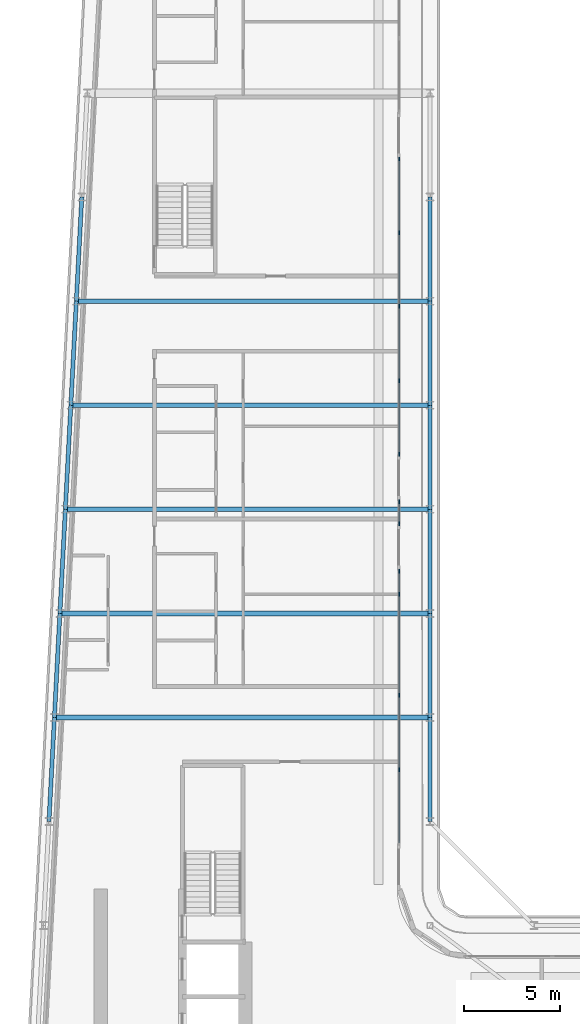
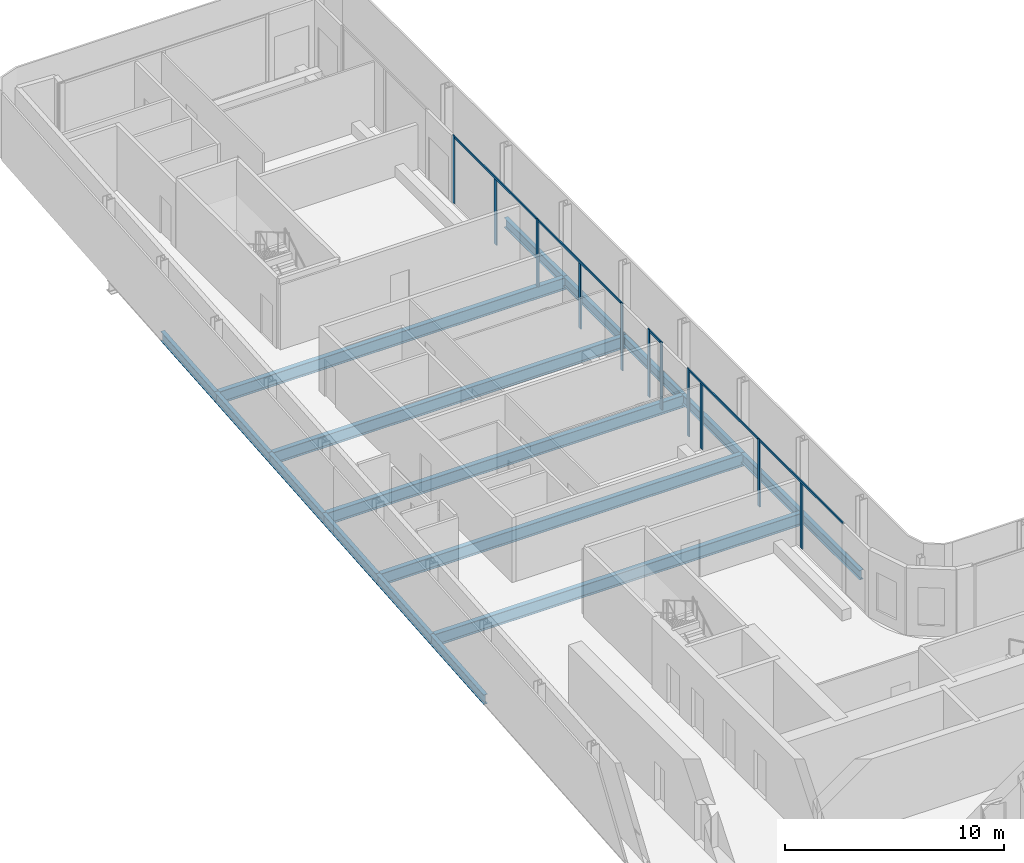
# One storey, part 6 of 23: 17 beams, 16 members, 5 elements without a shape of their own.
"""IFC4 building model written with IfcOpenShell, lengths in metres."""

from ifc_helpers import new_model, si_unit, direction, frame, origin, origin_2d, place, context, subcontext, project, spatial, rectangle, i_section, extrude, material, layer, layer_set, material_profile, profile_set, type_object, element, aggregate, save


model = new_model("IFC4")

# Units and contexts
model_context = context("Model", 3, precision=1e-05, world=origin(), true_north=direction((0.0, 1.0)))
body_context = subcontext(model_context, "Body", "Model", "MODEL_VIEW")
ifc_project = project(units=[si_unit("LENGTHUNIT", "METRE"), si_unit("AREAUNIT", "SQUARE_METRE"), si_unit("VOLUMEUNIT", "CUBIC_METRE"), si_unit("PLANEANGLEUNIT", "RADIAN"), si_unit("MASSUNIT", "GRAM", prefix="KILO")], contexts=[model_context])

# Site, building, storey
site_placement = place(None, origin())
site = spatial("IfcSite", under=ifc_project, at=site_placement, CompositionType="ELEMENT")
building_placement = place(site_placement, origin())
building = spatial("IfcBuilding", under=site, at=building_placement, Name="Kheshtan School and Residences Tower", CompositionType="ELEMENT")
storey_placement = place(building_placement, frame((0.0, 0.0, 247.39990234375)))
storey = spatial("IfcBuildingStorey", under=building, at=storey_placement, Name="L58", CompositionType="ELEMENT", Elevation=247.39990234375)

# Beams
ifc_material_1 = material(Name="Steel ASTM A992 Grade 50", Category="steel")
ifc_material_profile_1 = material_profile(ifc_material_1, i_section(OverallWidth=0.2529296875, OverallDepth=0.677978515625, WebThickness=0.01171875, FlangeThickness=0.016357421875, FilletRadius=0.0146484375, at=origin_2d()), Name="W690x125")
ifc_profile_set_1 = profile_set([ifc_material_profile_1], Name="Steel ASTM A992 Grade 50")
beam_type_1 = type_object("IfcBeamType", Name="Beam FB6 W690x125 ASTM A992 Grade 50", PredefinedType="BEAM", material=ifc_profile_set_1)
beam_1_placement = place(storey_placement, frame((47.60009765625, 78.0, -0.489013671875), z_axis=(-1.0, 0.0, 0.0), x_axis=(0.0, -1.0, 0.0)))
element("IfcBeam", 1, at=beam_1_placement, inside=storey, type_object=beam_type_1, Name="Floor beam C089", PredefinedType="BEAM", context=body_context, shape_type="SweptSolid", body=[
    extrude(i_section(OverallWidth=0.2529296875, OverallDepth=0.677978515625, WebThickness=0.01171875, FlangeThickness=0.016357421875, FilletRadius=0.0146484375, at=origin_2d()), origin(), (0.0, 0.0, 1.0), 18.357177734375),
])
beam_2_placement = place(storey_placement, frame((47.60009765625, 67.199951171875, -0.489013671875), z_axis=(-1.0, 0.0, 0.0), x_axis=(0.0, -1.0, 0.0)))
element("IfcBeam", 2, at=beam_2_placement, inside=storey, type_object=beam_type_1, Name="Floor beam C085", PredefinedType="BEAM", context=body_context, shape_type="SweptSolid", body=[
    extrude(i_section(OverallWidth=0.2529296875, OverallDepth=0.677978515625, WebThickness=0.01171875, FlangeThickness=0.016357421875, FilletRadius=0.0146484375, at=origin_2d()), origin(), (0.0, 0.0, 1.0), 18.926025390625),
])
beam_3_placement = place(storey_placement, frame((47.60009765625, 56.39990234375, -0.489013671875), z_axis=(-1.0, 0.0, 0.0), x_axis=(0.0, -1.0, 0.0)))
element("IfcBeam", 3, at=beam_3_placement, inside=storey, type_object=beam_type_1, Name="Floor beam C081", PredefinedType="BEAM", context=body_context, shape_type="SweptSolid", body=[
    extrude(i_section(OverallWidth=0.2529296875, OverallDepth=0.677978515625, WebThickness=0.01171875, FlangeThickness=0.016357421875, FilletRadius=0.0146484375, at=origin_2d()), origin(), (0.0, 0.0, 1.0), 19.494140625),
])
beam_4_placement = place(storey_placement, frame((28.389892578125, 61.800048828125, -0.489013671875), z_axis=(1.0, 0.0, 0.0), x_axis=(0.0, 1.0, 0.0)))
element("IfcBeam", 4, at=beam_4_placement, inside=storey, type_object=beam_type_1, Name="Floor beam C082", PredefinedType="BEAM", context=body_context, shape_type="SweptSolid", body=[
    extrude(i_section(OverallWidth=0.2529296875, OverallDepth=0.677978515625, WebThickness=0.01171875, FlangeThickness=0.016357421875, FilletRadius=0.0146484375, at=origin_2d()), origin(), (0.0, 0.0, 1.0), 19.210205078125),
])
beam_5_placement = place(storey_placement, frame((28.9580078125, 72.60009765625, -0.489013671875), z_axis=(1.0, 0.0, 0.0), x_axis=(0.0, 1.0, 0.0)))
element("IfcBeam", 5, at=beam_5_placement, inside=storey, type_object=beam_type_1, Name="Floor beam C086", PredefinedType="BEAM", context=body_context, shape_type="SweptSolid", body=[
    extrude(i_section(OverallWidth=0.2529296875, OverallDepth=0.677978515625, WebThickness=0.01171875, FlangeThickness=0.016357421875, FilletRadius=0.0146484375, at=origin_2d()), origin(), (0.0, 0.0, 1.0), 18.64208984375),
])
ifc_material_profile_2 = material_profile(ifc_material_1, i_section(OverallWidth=0.208984375, OverallDepth=0.532958984375, WebThickness=0.01025390625, FlangeThickness=0.015625, FilletRadius=0.013916015625, at=origin_2d()), Name="W530x92")
ifc_profile_set_2 = profile_set([ifc_material_profile_2], Name="Steel ASTM A992 Grade 50")
beam_type_2 = type_object("IfcBeamType", Name="Beam SP3 W530x92 ASTM A992 Grade 50", PredefinedType="BEAM", material=ifc_profile_set_2)
for number, where, z_axis, x_axis, name in (
    (6, (47.60009765625, 83.39990234375, -0.41650390625), (0.0, -1.0, 0.0), (1.0, 0.0, 0.0), "Spandrel beam C091-C089"),
    (7, (47.60009765625, 78.0, -0.41650390625), (0.0, -1.0, 0.0), (1.0, 0.0, 0.0), "Spandrel beam C089-C087"),
):
    element("IfcBeam", number, at=place(storey_placement, frame(where, z_axis=z_axis, x_axis=x_axis)), inside=storey, type_object=beam_type_2, Name=name, PredefinedType="BEAM", context=body_context, shape_type="SweptSolid", body=[
        extrude(i_section(OverallWidth=0.208984375, OverallDepth=0.532958984375, WebThickness=0.01025390625, FlangeThickness=0.015625, FilletRadius=0.013916015625, at=origin_2d()), origin(), (0.0, 0.0, 1.0), 5.39990234375),
    ])
beam_6_placement = place(storey_placement, frame((47.60009765625, 72.60009765625, -0.41650390625), z_axis=(0.0, -1.0, 0.0), x_axis=(1.0, 0.0, 0.0)))
element("IfcBeam", 8, at=beam_6_placement, inside=storey, type_object=beam_type_2, Name="Spandrel beam C087-C085", PredefinedType="BEAM", context=body_context, shape_type="SweptSolid", body=[
    extrude(i_section(OverallWidth=0.208984375, OverallDepth=0.532958984375, WebThickness=0.01025390625, FlangeThickness=0.015625, FilletRadius=0.013916015625, at=origin_2d()), origin(), (0.0, 0.0, 1.0), 5.400146484375),
])
beam_7_placement = place(storey_placement, frame((47.60009765625, 67.199951171875, -0.41650390625), z_axis=(0.0, -1.0, 0.0), x_axis=(1.0, 0.0, 0.0)))
element("IfcBeam", 9, at=beam_7_placement, inside=storey, type_object=beam_type_2, Name="Spandrel beam C085-C083", PredefinedType="BEAM", context=body_context, shape_type="SweptSolid", body=[
    extrude(i_section(OverallWidth=0.208984375, OverallDepth=0.532958984375, WebThickness=0.01025390625, FlangeThickness=0.015625, FilletRadius=0.013916015625, at=origin_2d()), origin(), (0.0, 0.0, 1.0), 5.39990234375),
])
beam_8_placement = place(storey_placement, frame((47.60009765625, 61.800048828125, -0.41650390625), z_axis=(0.0, -1.0, 0.0), x_axis=(1.0, 0.0, 0.0)))
element("IfcBeam", 10, at=beam_8_placement, inside=storey, type_object=beam_type_2, Name="Spandrel beam C083-C081", PredefinedType="BEAM", context=body_context, shape_type="SweptSolid", body=[
    extrude(i_section(OverallWidth=0.208984375, OverallDepth=0.532958984375, WebThickness=0.01025390625, FlangeThickness=0.015625, FilletRadius=0.013916015625, at=origin_2d()), origin(), (0.0, 0.0, 1.0), 5.400146484375),
])
beam_9_placement = place(storey_placement, frame((47.60009765625, 56.39990234375, -0.41650390625), z_axis=(0.0, -1.0, 0.0), x_axis=(1.0, 0.0, 0.0)))
element("IfcBeam", 11, at=beam_9_placement, inside=storey, type_object=beam_type_2, Name="Spandrel beam C081-C079", PredefinedType="BEAM", context=body_context, shape_type="SweptSolid", body=[
    extrude(i_section(OverallWidth=0.208984375, OverallDepth=0.532958984375, WebThickness=0.01025390625, FlangeThickness=0.015625, FilletRadius=0.013916015625, at=origin_2d()), origin(), (0.0, 0.0, 1.0), 5.39990234375),
])
beam_10_placement = place(storey_placement, frame((27.822021484375, 51.0, -0.41650390625), z_axis=(0.05250906864, 0.998620447272, 0.0), x_axis=(-0.998620447272, 0.05250906864, 0.0)))
element("IfcBeam", 12, at=beam_10_placement, inside=storey, type_object=beam_type_2, Name="Spandrel beam C078-C080", PredefinedType="BEAM", context=body_context, shape_type="SweptSolid", body=[
    extrude(i_section(OverallWidth=0.208984375, OverallDepth=0.532958984375, WebThickness=0.01025390625, FlangeThickness=0.015625, FilletRadius=0.013916015625, at=origin_2d()), origin(), (0.0, 0.0, 1.0), 5.407470703125),
])
beam_11_placement = place(storey_placement, frame((28.10595703125, 56.39990234375, -0.41650390625), z_axis=(0.05250670125, 0.998620571751, 0.0), x_axis=(-0.998620571751, 0.05250670125, 0.0)))
element("IfcBeam", 13, at=beam_11_placement, inside=storey, type_object=beam_type_2, Name="Spandrel beam C080-C082", PredefinedType="BEAM", context=body_context, shape_type="SweptSolid", body=[
    extrude(i_section(OverallWidth=0.208984375, OverallDepth=0.532958984375, WebThickness=0.01025390625, FlangeThickness=0.015625, FilletRadius=0.013916015625, at=origin_2d()), origin(), (0.0, 0.0, 1.0), 5.40771484375),
])
beam_12_placement = place(storey_placement, frame((28.389892578125, 61.800048828125, -0.41650390625), z_axis=(0.052554093665, 0.998618078766, 0.0), x_axis=(-0.998618078766, 0.052554093665, 0.0)))
element("IfcBeam", 14, at=beam_12_placement, inside=storey, type_object=beam_type_2, Name="Spandrel beam C082-C084", PredefinedType="BEAM", context=body_context, shape_type="SweptSolid", body=[
    extrude(i_section(OverallWidth=0.208984375, OverallDepth=0.532958984375, WebThickness=0.01025390625, FlangeThickness=0.015625, FilletRadius=0.013916015625, at=origin_2d()), origin(), (0.0, 0.0, 1.0), 5.407470703125),
])
beam_13_placement = place(storey_placement, frame((28.674072265625, 67.199951171875, -0.41650390625), z_axis=(0.05250670125, 0.998620571751, 0.0), x_axis=(-0.998620571751, 0.05250670125, 0.0)))
element("IfcBeam", 15, at=beam_13_placement, inside=storey, type_object=beam_type_2, Name="Spandrel beam C084-C086", PredefinedType="BEAM", context=body_context, shape_type="SweptSolid", body=[
    extrude(i_section(OverallWidth=0.208984375, OverallDepth=0.532958984375, WebThickness=0.01025390625, FlangeThickness=0.015625, FilletRadius=0.013916015625, at=origin_2d()), origin(), (0.0, 0.0, 1.0), 5.40771484375),
])
for number, where, z_axis, x_axis, name in (
    (16, (28.9580078125, 72.60009765625, -0.41650390625), (0.052689166816, 0.998610961136, 0.0), (-0.998610961136, 0.052689166816, 0.0), "Spandrel beam C086-C088"),
    (17, (29.242919921875, 78.0, -0.41650390625), (0.052554093665, 0.998618078766, 0.0), (-0.998618078766, 0.052554093665, 0.0), "Spandrel beam C088-C090"),
):
    element("IfcBeam", number, at=place(storey_placement, frame(where, z_axis=z_axis, x_axis=x_axis)), inside=storey, type_object=beam_type_2, Name=name, PredefinedType="BEAM", context=body_context, shape_type="SweptSolid", body=[
        extrude(i_section(OverallWidth=0.208984375, OverallDepth=0.532958984375, WebThickness=0.01025390625, FlangeThickness=0.015625, FilletRadius=0.013916015625, at=origin_2d()), origin(), (0.0, 0.0, 1.0), 5.407470703125),
    ])

# Curtain wall, members
ifc_material_2 = material(Name="Clear low-e glass in thermally broken aluminium frame", Category="aluminium")
ifc_layer = layer(ifc_material_2, 0.199951171875)
ifc_layer_set = layer_set([ifc_layer], Name="Curtain wall CW-L")
curtain_wall_type = type_object("IfcCurtainWallType", Name="Curtain wall CW-L", PredefinedType="NOTDEFINED", material=ifc_layer_set)
curtain_wall_1_placement = place(storey_placement, origin())
curtain_wall_1 = element("IfcCurtainWall", 18, at=curtain_wall_1_placement, inside=storey, type_object=curtain_wall_type, Name="Curtain wall CWL8", PredefinedType="NOTDEFINED")
ifc_material_3 = material(Name="Thermally broken aluminium, dark bronze anodised", Category="aluminium")
ifc_material_profile_3 = material_profile(ifc_material_3, rectangle(XDim=0.06005859375, YDim=0.199951171875, at=origin_2d()), Name="CW-L mullion 60x200")
ifc_profile_set_3 = profile_set([ifc_material_profile_3], Name="Thermally broken aluminium, dark bronze anodised")
member_type_1 = type_object("IfcMemberType", Name="CW-L mullion 60x200", PredefinedType="MULLION", material=ifc_profile_set_3)
member_1_placement = place(storey_placement, frame((46.0, 85.3759765625, 0.0), z_axis=(0.0, 0.0, 1.0), x_axis=(1.0, 0.0, 0.0)))
member_1 = element("IfcMember", 19, at=member_1_placement, type_object=member_type_1, Name="CWL8 mullion 1", PredefinedType="MULLION", context=body_context, shape_type="SweptSolid", body=[
    extrude(rectangle(XDim=0.06005859375, YDim=0.199951171875, at=origin_2d()), origin(), (0.0, 0.0, 1.0), 3.75),
])
member_2_placement = place(storey_placement, frame((46.0, 81.55908203125, 0.0), z_axis=(0.0, 0.0, 1.0), x_axis=(1.0, 0.0, 0.0)))
member_2 = element("IfcMember", 20, at=member_2_placement, type_object=member_type_1, Name="CWL8 mullion 2", PredefinedType="MULLION", context=body_context, shape_type="SweptSolid", body=[
    extrude(rectangle(XDim=0.06005859375, YDim=0.199951171875, at=origin_2d()), origin(), (0.0, 0.0, 1.0), 3.630126953125),
])
member_3_placement = place(storey_placement, frame((46.0, 77.741943359375, 0.0), z_axis=(0.0, 0.0, 1.0), x_axis=(1.0, 0.0, 0.0)))
member_3 = element("IfcMember", 21, at=member_3_placement, type_object=member_type_1, Name="CWL8 mullion 3", PredefinedType="MULLION", context=body_context, shape_type="SweptSolid", body=[
    extrude(rectangle(XDim=0.06005859375, YDim=0.199951171875, at=origin_2d()), origin(), (0.0, 0.0, 1.0), 3.75),
])

curtain_wall_2_placement = place(storey_placement, origin())
curtain_wall_2 = element("IfcCurtainWall", 22, at=curtain_wall_2_placement, inside=storey, type_object=curtain_wall_type, Name="Curtain wall CWL8", PredefinedType="NOTDEFINED")
member_4_placement = place(storey_placement, frame((46.0, 73.864990234375, 0.0), z_axis=(0.0, 0.0, 1.0), x_axis=(1.0, 0.0, 0.0)))
member_4 = element("IfcMember", 23, at=member_4_placement, type_object=member_type_1, Name="CWL8 mullion 2", PredefinedType="MULLION", context=body_context, shape_type="SweptSolid", body=[
    extrude(rectangle(XDim=0.06005859375, YDim=0.199951171875, at=origin_2d()), origin(), (0.0, 0.0, 1.0), 3.630126953125),
])
member_5_placement = place(storey_placement, frame((46.0, 70.048095703125, 0.0), z_axis=(0.0, 0.0, 1.0), x_axis=(1.0, 0.0, 0.0)))
member_5 = element("IfcMember", 24, at=member_5_placement, type_object=member_type_1, Name="CWL8 mullion 3", PredefinedType="MULLION", context=body_context, shape_type="SweptSolid", body=[
    extrude(rectangle(XDim=0.06005859375, YDim=0.199951171875, at=origin_2d()), origin(), (0.0, 0.0, 1.0), 3.75),
])

curtain_wall_3_placement = place(storey_placement, origin())
curtain_wall_3 = element("IfcCurtainWall", 25, at=curtain_wall_3_placement, inside=storey, type_object=curtain_wall_type, Name="Curtain wall CWL8g", PredefinedType="NOTDEFINED")
member_6_placement = place(storey_placement, frame((46.0, 67.587890625, 0.0), z_axis=(0.0, 0.0, 1.0), x_axis=(1.0, 0.0, 0.0)))
member_6 = element("IfcMember", 26, at=member_6_placement, type_object=member_type_1, Name="CWL8g mullion 1", PredefinedType="MULLION", context=body_context, shape_type="SweptSolid", body=[
    extrude(rectangle(XDim=0.06005859375, YDim=0.199951171875, at=origin_2d()), origin(), (0.0, 0.0, 1.0), 3.75),
])
member_7_placement = place(storey_placement, frame((46.0, 66.447998046875, 0.0), z_axis=(0.0, 0.0, 1.0), x_axis=(1.0, 0.0, 0.0)))
member_7 = element("IfcMember", 27, at=member_7_placement, type_object=member_type_1, Name="CWL8g mullion 2", PredefinedType="MULLION", context=body_context, shape_type="SweptSolid", body=[
    extrude(rectangle(XDim=0.06005859375, YDim=0.199951171875, at=origin_2d()), origin(), (0.0, 0.0, 1.0), 3.75),
])

curtain_wall_4_placement = place(storey_placement, origin())
curtain_wall_4 = element("IfcCurtainWall", 28, at=curtain_wall_4_placement, inside=storey, type_object=curtain_wall_type, Name="Curtain wall CWL8k", PredefinedType="NOTDEFINED")
member_8_placement = place(storey_placement, frame((46.0, 63.988037109375, 0.0), z_axis=(0.0, 0.0, 1.0), x_axis=(1.0, 0.0, 0.0)))
member_8 = element("IfcMember", 29, at=member_8_placement, type_object=member_type_1, Name="CWL8k mullion 1", PredefinedType="MULLION", context=body_context, shape_type="SweptSolid", body=[
    extrude(rectangle(XDim=0.06005859375, YDim=0.199951171875, at=origin_2d()), origin(), (0.0, 0.0, 1.0), 3.75),
])
member_9_placement = place(storey_placement, frame((46.0, 62.800048828125, 0.0), z_axis=(0.0, 0.0, 1.0), x_axis=(1.0, 0.0, 0.0)))
member_9 = element("IfcMember", 30, at=member_9_placement, type_object=member_type_1, Name="CWL8k mullion 2", PredefinedType="MULLION", context=body_context, shape_type="SweptSolid", body=[
    extrude(rectangle(XDim=0.06005859375, YDim=0.199951171875, at=origin_2d()), origin(), (0.0, 0.0, 1.0), 3.630126953125),
])
member_10_placement = place(storey_placement, frame((46.0, 57.553955078125, 0.0), z_axis=(0.0, 0.0, 1.0), x_axis=(1.0, 0.0, 0.0)))
member_10 = element("IfcMember", 31, at=member_10_placement, type_object=member_type_1, Name="CWL8k mullion 3", PredefinedType="MULLION", context=body_context, shape_type="SweptSolid", body=[
    extrude(rectangle(XDim=0.06005859375, YDim=0.199951171875, at=origin_2d()), origin(), (0.0, 0.0, 1.0), 3.75),
])

# Curtain wall, member
curtain_wall_5_placement = place(storey_placement, origin())
curtain_wall_5 = element("IfcCurtainWall", 32, at=curtain_wall_5_placement, inside=storey, type_object=curtain_wall_type, Name="Curtain wall CWL8", PredefinedType="NOTDEFINED")
member_11_placement = place(storey_placement, frame((46.0, 53.677001953125, 0.0), z_axis=(0.0, 0.0, 1.0), x_axis=(1.0, 0.0, 0.0)))
member_11 = element("IfcMember", 33, at=member_11_placement, type_object=member_type_1, Name="CWL8 mullion 2", PredefinedType="MULLION", context=body_context, shape_type="SweptSolid", body=[
    extrude(rectangle(XDim=0.06005859375, YDim=0.199951171875, at=origin_2d()), origin(), (0.0, 0.0, 1.0), 3.630126953125),
])

# Member
ifc_material_profile_4 = material_profile(ifc_material_3, rectangle(XDim=0.06005859375, YDim=0.1201171875, at=origin_2d()), Name="CW-L transom 60x120")
ifc_profile_set_4 = profile_set([ifc_material_profile_4], Name="Thermally broken aluminium, dark bronze anodised")
member_type_2 = type_object("IfcMemberType", Name="CW-L transom 60x120", PredefinedType="USERDEFINED", material=ifc_profile_set_4)
member_12_placement = place(storey_placement, frame((46.0, 85.345947265625, 3.690185546875), z_axis=(0.0, -1.0, 0.0), x_axis=(1.0, 0.0, 0.0)))
member_12 = element("IfcMember", 34, at=member_12_placement, type_object=member_type_2, Name="CWL8 transom 1", ObjectType="TRANSOM", PredefinedType="USERDEFINED", context=body_context, shape_type="SweptSolid", body=[
    extrude(rectangle(XDim=0.06005859375, YDim=0.1201171875, at=origin_2d()), origin(), (0.0, 0.0, 1.0), 7.573974609375),
])

aggregate(curtain_wall_1, [member_1, member_2, member_3, member_12])

member_13_placement = place(storey_placement, frame((46.0, 77.7119140625, 3.690185546875), z_axis=(0.0, -1.0, 0.0), x_axis=(1.0, 0.0, 0.0)))
member_13 = element("IfcMember", 35, at=member_13_placement, type_object=member_type_2, Name="CWL8 transom 1", ObjectType="TRANSOM", PredefinedType="USERDEFINED", context=body_context, shape_type="SweptSolid", body=[
    extrude(rectangle(XDim=0.06005859375, YDim=0.1201171875, at=origin_2d()), origin(), (0.0, 0.0, 1.0), 7.634033203125),
])

aggregate(curtain_wall_2, [member_4, member_5, member_13])

member_14_placement = place(storey_placement, frame((46.0, 67.55810546875, 3.690185546875), z_axis=(0.0, -1.0, 0.0), x_axis=(1.0, 0.0, 0.0)))
member_14 = element("IfcMember", 36, at=member_14_placement, type_object=member_type_2, Name="CWL8g transom 1", ObjectType="TRANSOM", PredefinedType="USERDEFINED", context=body_context, shape_type="SweptSolid", body=[
    extrude(rectangle(XDim=0.06005859375, YDim=0.1201171875, at=origin_2d()), origin(), (0.0, 0.0, 1.0), 1.080078125),
])

aggregate(curtain_wall_3, [member_6, member_7, member_14])

member_15_placement = place(storey_placement, frame((46.0, 63.9580078125, 3.690185546875), z_axis=(0.0, -1.0, 0.0), x_axis=(1.0, 0.0, 0.0)))
member_15 = element("IfcMember", 37, at=member_15_placement, type_object=member_type_2, Name="CWL8k transom 1", ObjectType="TRANSOM", PredefinedType="USERDEFINED", context=body_context, shape_type="SweptSolid", body=[
    extrude(rectangle(XDim=0.06005859375, YDim=0.1201171875, at=origin_2d()), origin(), (0.0, 0.0, 1.0), 6.3740234375),
])

aggregate(curtain_wall_4, [member_8, member_9, member_10, member_15])

member_16_placement = place(storey_placement, frame((46.0, 57.52392578125, 3.690185546875), z_axis=(0.0, -1.0, 0.0), x_axis=(1.0, 0.0, 0.0)))
member_16 = element("IfcMember", 38, at=member_16_placement, type_object=member_type_2, Name="CWL8 transom 1", ObjectType="TRANSOM", PredefinedType="USERDEFINED", context=body_context, shape_type="SweptSolid", body=[
    extrude(rectangle(XDim=0.06005859375, YDim=0.1201171875, at=origin_2d()), origin(), (0.0, 0.0, 1.0), 7.634033203125),
])

aggregate(curtain_wall_5, [member_11, member_16])

save(model, "model.ifc")
